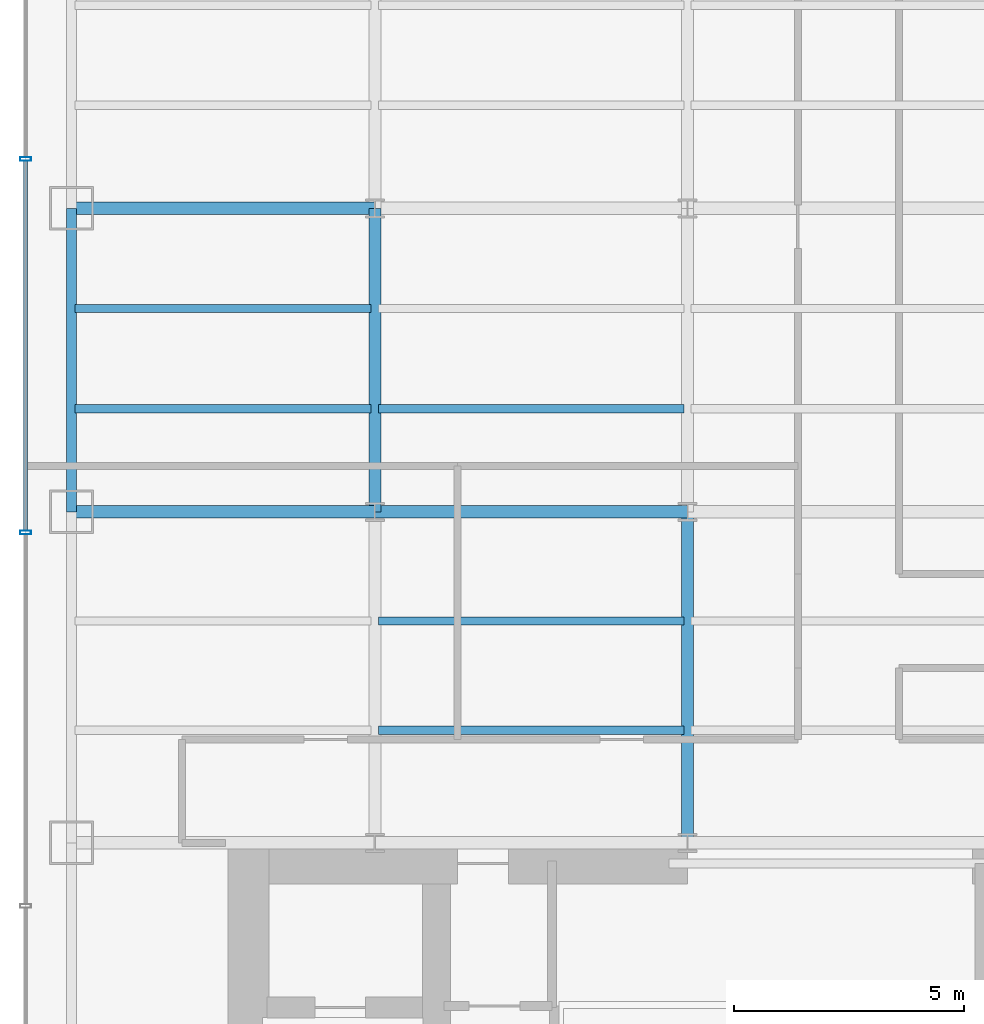
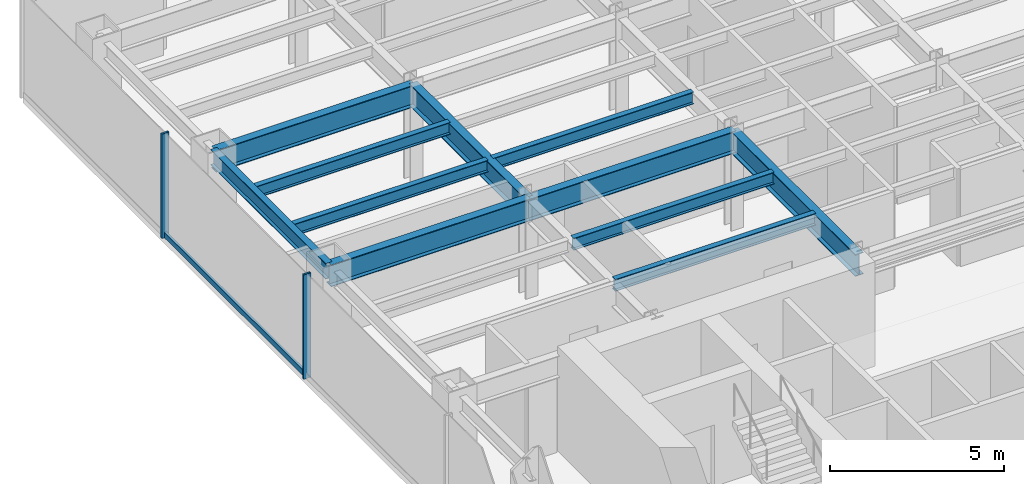
# One storey, part 4 of 22: 11 beams, 3 members, 1 element without a shape of its own.
"""IFC4 building model written with IfcOpenShell, lengths in metres."""

from ifc_helpers import new_model, si_unit, derived_unit, direction, frame, origin, origin_2d, place, context, subcontext, project, spatial, hollow_rectangle, i_section, extrude, source, transform, mapped, material, material_profile, profile_set, type_object, element, aggregate, save


model = new_model("IFC4")

# Units and contexts
model_context = context("Model", 3, precision=1e-05, world=origin(), true_north=direction((0.0, 1.0)))
body_context = subcontext(model_context, "Body", "Model", "MODEL_VIEW")
ifc_project = project(units=[si_unit("LENGTHUNIT", "METRE"), si_unit("AREAUNIT", "SQUARE_METRE"), si_unit("VOLUMEUNIT", "CUBIC_METRE"), si_unit("PLANEANGLEUNIT", "RADIAN"), si_unit("MASSUNIT", "GRAM", prefix="KILO"), derived_unit("THERMALTRANSMITTANCEUNIT", [(si_unit("POWERUNIT", "WATT"), 1), (si_unit("LENGTHUNIT", "METRE"), -2), (si_unit("THERMODYNAMICTEMPERATUREUNIT", "KELVIN"), -1)])], contexts=[model_context])

# Site, building, storey
site_placement = place(None, origin())
site = spatial("IfcSite", under=ifc_project, at=site_placement, CompositionType="ELEMENT")
building_placement = place(site_placement, origin())
building = spatial("IfcBuilding", under=site, at=building_placement, Name="Skarnbrae Concourse Arena and Tower", CompositionType="ELEMENT")
storey_placement = place(building_placement, frame((0.0, 0.0, 39.800048828125)))
storey = spatial("IfcBuildingStorey", under=building, at=storey_placement, Name="L08", CompositionType="ELEMENT", Elevation=39.800048828125)

# Beams
ifc_material_1 = material(Name="Steel CSA G40.21 350W", Category="steel")
ifc_material_profile_1 = material_profile(ifc_material_1, i_section(OverallWidth=0.26806640625, OverallDepth=0.77001953125, WebThickness=0.015625, FlangeThickness=0.025390625, at=origin_2d()), Name="W760X196")
ifc_profile_set_1 = profile_set([ifc_material_profile_1], Name="Steel CSA G40.21 350W")
beam_type_1 = type_object("IfcBeamType", Name="BM-GIRD-W760X196", PredefinedType="BEAM", material=ifc_profile_set_1)
shared_shape_1 = source(origin(), body_context, "Body", "SweptSolid", [
    extrude(i_section(OverallWidth=0.26806640625, OverallDepth=0.77001953125, WebThickness=0.015625, FlangeThickness=0.025390625, at=origin_2d()), origin(), (0.0, 0.0, 1.0), 6.60009765625),
])
for number, where, z_axis, x_axis, name in (
    (1, (1.0, 21.199951171875, 3.014892578125), (1.0, 0.0, 0.0), (0.0, 1.0, 0.0), "L08 Primary E-W girder Y21.2-1"),
    (2, (1.0, 27.800048828125, 3.014892578125), (1.0, 0.0, 0.0), (0.0, 1.0, 0.0), "L08 Primary E-W girder Y27.8-1"),
    (3, (7.60009765625, 21.199951171875, 3.014892578125), (0.0, 1.0, 0.0), (-1.0, 0.0, 0.0), "L08 Primary N-S girder X7.6-2"),
):
    element("IfcBeam", number, at=place(storey_placement, frame(where, z_axis=z_axis, x_axis=x_axis)), inside=storey, type_object=beam_type_1, Name=name, PredefinedType="BEAM", context=body_context, shape_type="MappedRepresentation", body=[
        mapped(shared_shape_1, transform((0.0, 0.0, 0.0))),
    ])
shared_shape_2 = source(origin(), body_context, "Body", "SweptSolid", [
    extrude(i_section(OverallWidth=0.26806640625, OverallDepth=0.77001953125, WebThickness=0.015625, FlangeThickness=0.025390625, at=origin_2d()), origin(), (0.0, 0.0, 1.0), 6.7998046875),
])
beam_1_placement = place(storey_placement, frame((7.60009765625, 21.199951171875, 3.014892578125), z_axis=(1.0, 0.0, 0.0), x_axis=(0.0, 1.0, 0.0)))
element("IfcBeam", 4, at=beam_1_placement, inside=storey, type_object=beam_type_1, Name="L08 Primary E-W girder Y21.2-2", PredefinedType="BEAM", context=body_context, shape_type="MappedRepresentation", body=[
    mapped(shared_shape_2, transform((0.0, 0.0, 0.0))),
])
ifc_material_profile_2 = material_profile(ifc_material_1, i_section(OverallWidth=0.214111328125, OverallDepth=0.549072265625, WebThickness=0.0146484375, FlangeThickness=0.023681640625, at=origin_2d()), Name="W530X138")
ifc_profile_set_2 = profile_set([ifc_material_profile_2], Name="Steel CSA G40.21 350W")
beam_type_2 = type_object("IfcBeamType", Name="BM-SPAN-W530X138", PredefinedType="SPANDREL", material=ifc_profile_set_2)
shared_shape_3 = source(origin(), body_context, "Body", "SweptSolid", [
    extrude(i_section(OverallWidth=0.214111328125, OverallDepth=0.549072265625, WebThickness=0.0146484375, FlangeThickness=0.023681640625, at=origin_2d()), origin(), (0.0, 0.0, 1.0), 6.60009765625),
])
beam_2_placement = place(storey_placement, frame((1.0, 21.199951171875, 3.12548828125), z_axis=(0.0, 1.0, 0.0), x_axis=(-1.0, 0.0, 0.0)))
element("IfcBeam", 5, at=beam_2_placement, inside=storey, type_object=beam_type_2, Name="L08 Perimeter spandrel X1.0-3", PredefinedType="SPANDREL", context=body_context, shape_type="MappedRepresentation", body=[
    mapped(shared_shape_3, transform((0.0, 0.0, 0.0))),
])
shared_shape_4 = source(origin(), body_context, "Body", "SweptSolid", [
    extrude(i_section(OverallWidth=0.26806640625, OverallDepth=0.77001953125, WebThickness=0.015625, FlangeThickness=0.025390625, at=origin_2d()), origin(), (0.0, 0.0, 1.0), 7.199951171875),
])
beam_3_placement = place(storey_placement, frame((14.39990234375, 14.0, 3.014892578125), z_axis=(0.0, 1.0, 0.0), x_axis=(-1.0, 0.0, 0.0)))
element("IfcBeam", 6, at=beam_3_placement, inside=storey, type_object=beam_type_1, Name="L08 Primary N-S girder X14.4-1", PredefinedType="BEAM", context=body_context, shape_type="MappedRepresentation", body=[
    mapped(shared_shape_4, transform((0.0, 0.0, 0.0))),
])
ifc_material_profile_3 = material_profile(ifc_material_1, i_section(OverallWidth=0.180908203125, OverallDepth=0.4169921875, WebThickness=0.010986328125, FlangeThickness=0.018310546875, at=origin_2d()), Name="W410X85")
ifc_profile_set_3 = profile_set([ifc_material_profile_3], Name="Steel CSA G40.21 350W")
beam_type_3 = type_object("IfcBeamType", Name="BM-JOIST-W410X85", PredefinedType="JOIST", material=ifc_profile_set_3)
shared_shape_5 = source(origin(), body_context, "Body", "SweptSolid", [
    extrude(i_section(OverallWidth=0.180908203125, OverallDepth=0.4169921875, WebThickness=0.010986328125, FlangeThickness=0.018310546875, at=origin_2d()), origin(), (0.0, 0.0, 1.0), 6.43994140625),
])
for number, where, z_axis, x_axis, name in (
    (7, (1.080078125, 23.444091796875, 3.19140625), (1.0, 0.0, 0.0), (0.0, 1.0, 0.0), "L08 Secondary floor joist 2.1.1"),
    (8, (1.080078125, 25.6220703125, 3.19140625), (1.0, 0.0, 0.0), (0.0, 1.0, 0.0), "L08 Secondary floor joist 2.2.1"),
):
    element("IfcBeam", number, at=place(storey_placement, frame(where, z_axis=z_axis, x_axis=x_axis)), inside=storey, type_object=beam_type_3, Name=name, PredefinedType="JOIST", context=body_context, shape_type="MappedRepresentation", body=[
        mapped(shared_shape_5, transform((0.0, 0.0, 0.0))),
    ])
shared_shape_6 = source(origin(), body_context, "Body", "SweptSolid", [
    extrude(i_section(OverallWidth=0.180908203125, OverallDepth=0.4169921875, WebThickness=0.010986328125, FlangeThickness=0.018310546875, at=origin_2d()), origin(), (0.0, 0.0, 1.0), 6.64013671875),
])
for number, where, z_axis, x_axis, name in (
    (9, (7.679931640625, 16.447998046875, 3.19140625), (1.0, 0.0, 0.0), (0.0, 1.0, 0.0), "L08 Secondary floor joist 1.1.2"),
    (10, (7.679931640625, 18.823974609375, 3.19140625), (1.0, 0.0, 0.0), (0.0, 1.0, 0.0), "L08 Secondary floor joist 1.2.2"),
    (11, (7.679931640625, 23.444091796875, 3.19140625), (1.0, 0.0, 0.0), (0.0, 1.0, 0.0), "L08 Secondary floor joist 2.1.2"),
):
    element("IfcBeam", number, at=place(storey_placement, frame(where, z_axis=z_axis, x_axis=x_axis)), inside=storey, type_object=beam_type_3, Name=name, PredefinedType="JOIST", context=body_context, shape_type="MappedRepresentation", body=[
        mapped(shared_shape_6, transform((0.0, 0.0, 0.0))),
    ])

# Curtain wall, members
ifc_material_2 = material(Name="Bronze anodised aluminium 6063-T6", Category="aluminium")
curtain_wall_type = type_object("IfcCurtainWallType", Name="CW-SYS-02-LOWZONE", PredefinedType="USERDEFINED", material=ifc_material_2)
curtain_wall_placement = place(storey_placement, origin())
curtain_wall = element("IfcCurtainWall", 12, at=curtain_wall_placement, inside=storey, type_object=curtain_wall_type, Name="L08 Unitised curtain wall CW-L08-E19", ObjectType="UNITISED CURTAIN WALL", PredefinedType="USERDEFINED")
ifc_material_profile_4 = material_profile(ifc_material_2, hollow_rectangle(XDim=0.080078125, YDim=0.239990234375, WallThickness=0.0048828125, at=origin_2d()), Name="ALU-MULL-80X240")
ifc_profile_set_4 = profile_set([ifc_material_profile_4], Name="Bronze anodised aluminium 6063-T6")
member_type_1 = type_object("IfcMemberType", Name="CWM-CW-02", PredefinedType="MULLION", material=ifc_profile_set_4)
shared_shape_7 = source(origin(), body_context, "Body", "SweptSolid", [
    extrude(hollow_rectangle(XDim=0.080078125, YDim=0.239990234375, WallThickness=0.0048828125, at=origin_2d()), origin(), (0.0, 0.0, 1.0), 3.64990234375),
])
member_1_placement = place(storey_placement, frame((0.0, 28.875, 0.0), z_axis=(0.0, 0.0, 1.0), x_axis=(0.0, -1.0, 0.0)))
member_1 = element("IfcMember", 13, at=member_1_placement, type_object=member_type_1, Name="CW-L08-E19 Mullion 2", PredefinedType="MULLION", context=body_context, shape_type="MappedRepresentation", body=[
    mapped(shared_shape_7, transform((0.0, 0.0, 0.0))),
])
member_2_placement = place(storey_placement, frame((0.0, 20.75, 0.0), z_axis=(0.0, 0.0, 1.0), x_axis=(0.0, -1.0, 0.0)))
member_2 = element("IfcMember", 14, at=member_2_placement, type_object=member_type_1, Name="CW-L08-E19 Mullion 3", PredefinedType="MULLION", context=body_context, shape_type="MappedRepresentation", body=[
    mapped(shared_shape_7, transform((0.0, 0.0, 0.0))),
])
ifc_material_profile_5 = material_profile(ifc_material_2, hollow_rectangle(XDim=0.080078125, YDim=0.18994140625, WallThickness=0.0048828125, at=origin_2d()), Name="ALU-TRAN-80X190")
ifc_profile_set_5 = profile_set([ifc_material_profile_5], Name="Bronze anodised aluminium 6063-T6")
member_type_2 = type_object("IfcMemberType", Name="CWT-CW-02", PredefinedType="USERDEFINED", material=ifc_profile_set_5)
shared_shape_8 = source(origin(), body_context, "Body", "SweptSolid", [
    extrude(hollow_rectangle(XDim=0.080078125, YDim=0.18994140625, WallThickness=0.0048828125, at=origin_2d()), origin(), (0.0, 0.0, 1.0), 8.044921875),
])
member_3_placement = place(storey_placement, frame((0.0, 28.8349609375, 0.094970703125), z_axis=(0.0, -1.0, 0.0), x_axis=(1.0, 0.0, 0.0)))
member_3 = element("IfcMember", 15, at=member_3_placement, type_object=member_type_2, Name="CW-L08-E19 Transom 2", ObjectType="TRANSOM", PredefinedType="USERDEFINED", context=body_context, shape_type="MappedRepresentation", body=[
    mapped(shared_shape_8, transform((0.0, 0.0, 0.0))),
])
aggregate(curtain_wall, [member_1, member_2, member_3])

save(model, "model.ifc")
